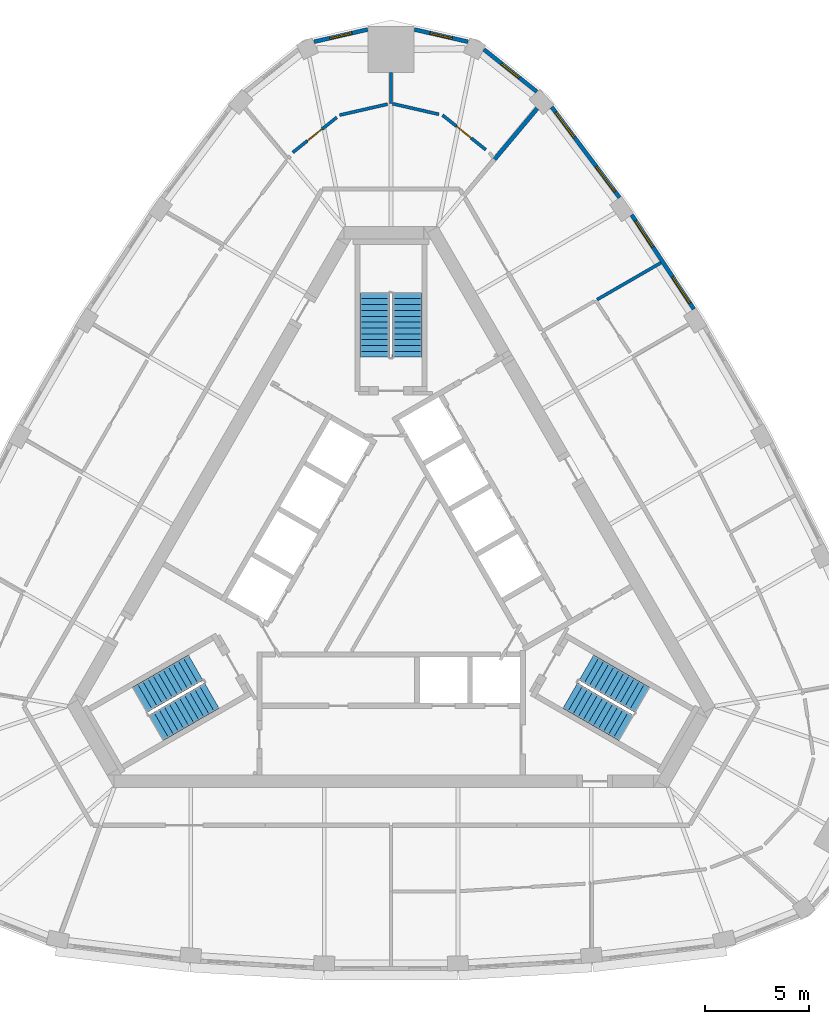
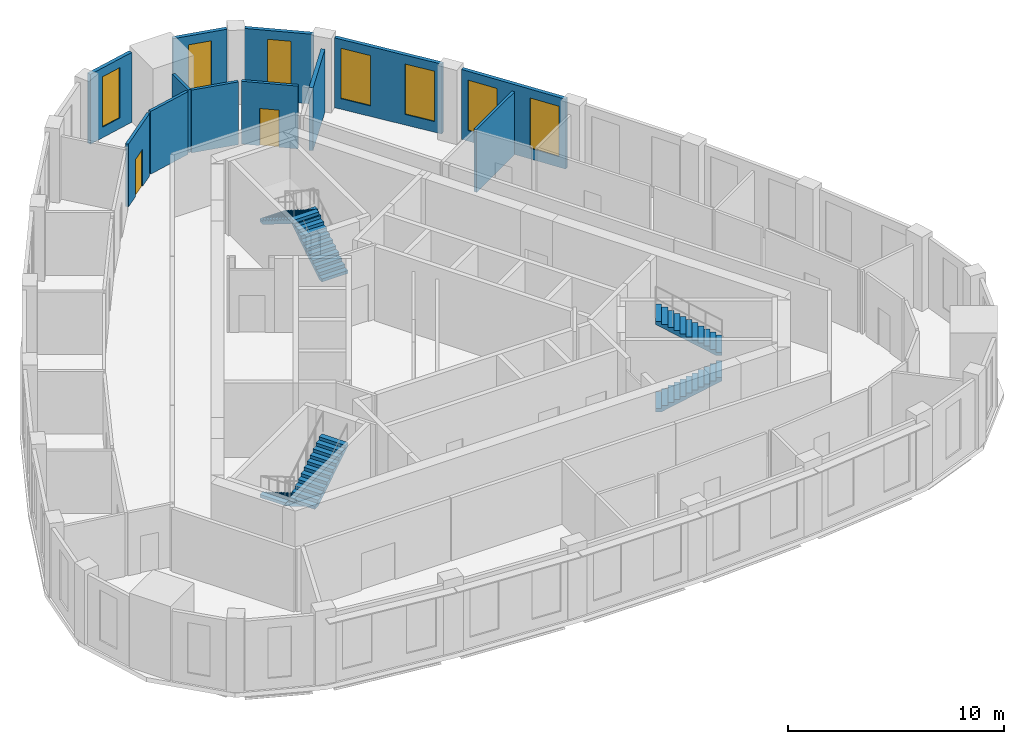
# One storey, part 9 of 10: 12 walls, 7 windows, 6 stair flights, 2 doors, 9 openings, 3 elements without a shape of their own.
"""IFC4 building model written with IfcOpenShell, lengths in metres."""

from ifc_helpers import new_model, si_unit, direction, frame, frame_2d, origin, place, context, subcontext, project, spatial, polyline, rectangle, outline, extrude, material, layer, layer_set, type_object, element, fill, aggregate, save


model = new_model("IFC4")

# Units and contexts
model_context = context("Model", 3, precision=1e-05, world=origin(), true_north=direction((0.0, 1.0)))
body_context = subcontext(model_context, "Body", "Model", "MODEL_VIEW")
ifc_project = project(units=[si_unit("LENGTHUNIT", "METRE"), si_unit("AREAUNIT", "SQUARE_METRE"), si_unit("VOLUMEUNIT", "CUBIC_METRE"), si_unit("PLANEANGLEUNIT", "RADIAN"), si_unit("MASSUNIT", "GRAM", prefix="KILO")], contexts=[model_context])

# Site, building, storey
site_placement = place(None, origin())
site = spatial("IfcSite", under=ifc_project, at=site_placement, CompositionType="ELEMENT")
building_placement = place(site_placement, origin())
building = spatial("IfcBuilding", under=site, at=building_placement, Name="Mestral Congress Tower", CompositionType="ELEMENT")
storey_placement = place(building_placement, frame((0.0, 0.0, 300.60009765625)))
storey = spatial("IfcBuildingStorey", under=building, at=storey_placement, Name="L70", CompositionType="ELEMENT", Elevation=300.60009765625)

# Wall, openings, windows
ifc_material_1 = material(Name="Precast concrete C40/50 with limestone facing", Category="masonry")
ifc_layer_1 = layer(ifc_material_1, 0.18994140625)
ifc_layer_set_1 = layer_set([ifc_layer_1], Name="Precast concrete C40/50 with limestone facing")
wall_type_1 = type_object("IfcWallType", Name="Facade stone wall 190", PredefinedType="SOLIDWALL", material=ifc_layer_set_1)
wall_1_placement = place(storey_placement, frame((14.49560546875, 12.6533203125, 0.0), z_axis=(0.0, 0.0, 1.0), x_axis=(-0.550744054781, 0.83467417962, 0.0)))
wall_1 = element("IfcWall", 1, at=wall_1_placement, inside=storey, type_object=wall_type_1, Name="Facade wall F1-03", PredefinedType="SOLIDWALL", context=body_context, shape_type="SweptSolid", body=[
    extrude(rectangle(XDim=5.406005859375, YDim=0.18994140625, at=frame_2d((2.703125, 0.0))), origin(), (0.0, 0.0, 1.0), 3.949951171875),
])
opening_1_placement = place(wall_1_placement, frame((0.346435546875, 0.0, 0.60009765625)))
opening_1 = element("IfcOpeningElement", 2, at=opening_1_placement, cuts=wall_1, Name="Opening W6", PredefinedType="OPENING", context=body_context, shape_type="SweptSolid", body=[
    extrude(rectangle(XDim=1.5, YDim=2.85009765625, at=frame_2d((0.75, 1.425048828125))), frame((0.0, 0.10498046875, 0.0), z_axis=(0.0, -1.0, 0.0), x_axis=(1.0, 0.0, 0.0)), (0.0, 0.0, 1.0), 0.2099609375),
])
opening_2_placement = place(wall_1_placement, frame((3.559326171875, 0.0, 0.60009765625)))
opening_2 = element("IfcOpeningElement", 3, at=opening_2_placement, cuts=wall_1, Name="Opening W6", PredefinedType="OPENING", context=body_context, shape_type="SweptSolid", body=[
    extrude(rectangle(XDim=1.5, YDim=2.85009765625, at=frame_2d((0.75, 1.425048828125))), frame((0.0, 0.10498046875, 0.0), z_axis=(0.0, -1.0, 0.0), x_axis=(1.0, 0.0, 0.0)), (0.0, 0.0, 1.0), 0.2099609375),
])
ifc_material_2 = material(Name="Clear low-emissivity double glazing", Category="glass")
window_type_1 = type_object("IfcWindowType", Name="Facade punched window 1500 x 2850 sill 600", PartitioningType="SINGLE_PANEL", PredefinedType="WINDOW", material=ifc_material_2)
window_1_placement = place(opening_1_placement, origin())
window_1 = element("IfcWindow", 4, at=window_1_placement, inside=storey, type_object=window_type_1, Name="Window F1-03a", OverallHeight=2.85009765625, OverallWidth=1.5, PartitioningType="SINGLE_PANEL", PredefinedType="WINDOW", context=body_context, shape_type="SweptSolid", body=[
    extrude(rectangle(XDim=1.5, YDim=2.85009765625, at=frame_2d((0.75, 1.425048828125))), frame((0.0, 0.044921875, 0.0), z_axis=(0.0, -1.0, 0.0), x_axis=(1.0, 0.0, 0.0)), (0.0, 0.0, 1.0), 0.06005859375),
])
fill(opening_1, window_1)
window_2_placement = place(opening_2_placement, origin())
window_2 = element("IfcWindow", 5, at=window_2_placement, inside=storey, type_object=window_type_1, Name="Window F1-03b", OverallHeight=2.85009765625, OverallWidth=1.5, PartitioningType="SINGLE_PANEL", PredefinedType="WINDOW", context=body_context, shape_type="SweptSolid", body=[
    extrude(rectangle(XDim=1.5, YDim=2.85009765625, at=frame_2d((0.75, 1.425048828125))), frame((0.0, 0.044921875, 0.0), z_axis=(0.0, -1.0, 0.0), x_axis=(1.0, 0.0, 0.0)), (0.0, 0.0, 1.0), 0.06005859375),
])
fill(opening_2, window_2)

wall_2_placement = place(storey_placement, frame((10.938232421875, 17.989990234375, 0.0), z_axis=(0.0, 0.0, 1.0), x_axis=(-0.599559865294, 0.800329911929, 0.0)))
wall_2 = element("IfcWall", 6, at=wall_2_placement, inside=storey, type_object=wall_type_1, Name="Facade wall F1-04", PredefinedType="SOLIDWALL", context=body_context, shape_type="SweptSolid", body=[
    extrude(rectangle(XDim=5.4150390625, YDim=0.18994140625, at=frame_2d((2.70751953125, 0.0))), origin(), (0.0, 0.0, 1.0), 3.949951171875),
])
opening_3_placement = place(wall_2_placement, frame((0.357666015625, 0.0, 0.60009765625)))
opening_3 = element("IfcOpeningElement", 7, at=opening_3_placement, cuts=wall_2, Name="Opening W6", PredefinedType="OPENING", context=body_context, shape_type="SweptSolid", body=[
    extrude(rectangle(XDim=1.5, YDim=2.85009765625, at=frame_2d((0.75, 1.425048828125))), frame((0.0, 0.10498046875, 0.0), z_axis=(0.0, -1.0, 0.0), x_axis=(1.0, 0.0, 0.0)), (0.0, 0.0, 1.0), 0.2099609375),
])
opening_4_placement = place(wall_2_placement, frame((3.592529296875, 0.0, 0.60009765625)))
opening_4 = element("IfcOpeningElement", 8, at=opening_4_placement, cuts=wall_2, Name="Opening W6", PredefinedType="OPENING", context=body_context, shape_type="SweptSolid", body=[
    extrude(rectangle(XDim=1.5, YDim=2.85009765625, at=frame_2d((0.75, 1.425048828125))), frame((0.0, 0.10498046875, 0.0), z_axis=(0.0, -1.0, 0.0), x_axis=(1.0, 0.0, 0.0)), (0.0, 0.0, 1.0), 0.2099609375),
])
window_3_placement = place(opening_3_placement, origin())
window_3 = element("IfcWindow", 9, at=window_3_placement, inside=storey, type_object=window_type_1, Name="Window F1-04a", OverallHeight=2.85009765625, OverallWidth=1.5, PartitioningType="SINGLE_PANEL", PredefinedType="WINDOW", context=body_context, shape_type="SweptSolid", body=[
    extrude(rectangle(XDim=1.5, YDim=2.85009765625, at=frame_2d((0.75, 1.425048828125))), frame((0.0, 0.044921875, 0.0), z_axis=(0.0, -1.0, 0.0), x_axis=(1.0, 0.0, 0.0)), (0.0, 0.0, 1.0), 0.06005859375),
])
fill(opening_3, window_3)
window_4_placement = place(opening_4_placement, origin())
window_4 = element("IfcWindow", 10, at=window_4_placement, inside=storey, type_object=window_type_1, Name="Window F1-04b", OverallHeight=2.85009765625, OverallWidth=1.5, PartitioningType="SINGLE_PANEL", PredefinedType="WINDOW", context=body_context, shape_type="SweptSolid", body=[
    extrude(rectangle(XDim=1.5, YDim=2.85009765625, at=frame_2d((0.75, 1.425048828125))), frame((0.0, 0.044921875, 0.0), z_axis=(0.0, -1.0, 0.0), x_axis=(1.0, 0.0, 0.0)), (0.0, 0.0, 1.0), 0.06005859375),
])
fill(opening_4, window_4)

# Wall, opening, window
wall_3_placement = place(storey_placement, frame((6.977294921875, 23.061279296875, 0.0), z_axis=(0.0, 0.0, 1.0), x_axis=(-0.781626234064, 0.623747088349, 0.0)))
wall_3 = element("IfcWall", 11, at=wall_3_placement, inside=storey, type_object=wall_type_1, Name="Facade wall K1-0", PredefinedType="SOLIDWALL", context=body_context, shape_type="SweptSolid", body=[
    extrude(rectangle(XDim=3.236572265625, YDim=0.18994140625, at=frame_2d((1.6181640625, 0.0))), origin(), (0.0, 0.0, 1.0), 3.949951171875),
])
opening_5_placement = place(wall_3_placement, frame((1.068359375, 0.0, 0.60009765625)))
opening_5 = element("IfcOpeningElement", 12, at=opening_5_placement, cuts=wall_3, Name="Opening W7", PredefinedType="OPENING", context=body_context, shape_type="SweptSolid", body=[
    extrude(rectangle(XDim=1.10009765625, YDim=2.85009765625, at=frame_2d((0.550048828125, 1.425048828125))), frame((0.0, 0.10498046875, 0.0), z_axis=(0.0, -1.0, 0.0), x_axis=(1.0, 0.0, 0.0)), (0.0, 0.0, 1.0), 0.2099609375),
])
window_type_2 = type_object("IfcWindowType", Name="Facade punched window 1100 x 2850 sill 600", PartitioningType="SINGLE_PANEL", PredefinedType="WINDOW", material=ifc_material_2)
window_5_placement = place(opening_5_placement, origin())
window_5 = element("IfcWindow", 13, at=window_5_placement, inside=storey, type_object=window_type_2, Name="Window K1-0", OverallHeight=2.85009765625, OverallWidth=1.10009765625, PartitioningType="SINGLE_PANEL", PredefinedType="WINDOW", context=body_context, shape_type="SweptSolid", body=[
    extrude(rectangle(XDim=1.10009765625, YDim=2.85009765625, at=frame_2d((0.550048828125, 1.425048828125))), frame((0.0, 0.044921875, 0.0), z_axis=(0.0, -1.0, 0.0), x_axis=(1.0, 0.0, 0.0)), (0.0, 0.0, 1.0), 0.06005859375),
])
fill(opening_5, window_5)

wall_4_placement = place(storey_placement, frame((3.6826171875, 25.44873046875, 0.0), z_axis=(0.0, 0.0, 1.0), x_axis=(-0.974913273386, 0.222585060988, 0.0)))
wall_4 = element("IfcWall", 14, at=wall_4_placement, inside=storey, type_object=wall_type_1, Name="Facade wall K1-1", PredefinedType="SOLIDWALL", context=body_context, shape_type="SweptSolid", body=[
    extrude(rectangle(XDim=2.626953125, YDim=0.18994140625, at=frame_2d((1.3134765625, 0.0))), origin(), (0.0, 0.0, 1.0), 3.949951171875),
])
opening_6_placement = place(wall_4_placement, frame((0.763427734375, 0.0, 0.60009765625)))
opening_6 = element("IfcOpeningElement", 15, at=opening_6_placement, cuts=wall_4, Name="Opening W7", PredefinedType="OPENING", context=body_context, shape_type="SweptSolid", body=[
    extrude(rectangle(XDim=1.10009765625, YDim=2.85009765625, at=frame_2d((0.550048828125, 1.425048828125))), frame((0.0, 0.10498046875, 0.0), z_axis=(0.0, -1.0, 0.0), x_axis=(1.0, 0.0, 0.0)), (0.0, 0.0, 1.0), 0.2099609375),
])
window_6_placement = place(opening_6_placement, origin())
window_6 = element("IfcWindow", 16, at=window_6_placement, inside=storey, type_object=window_type_2, Name="Window K1-1", OverallHeight=2.85009765625, OverallWidth=1.10009765625, PartitioningType="SINGLE_PANEL", PredefinedType="WINDOW", context=body_context, shape_type="SweptSolid", body=[
    extrude(rectangle(XDim=1.10009765625, YDim=2.85009765625, at=frame_2d((0.550048828125, 1.425048828125))), frame((0.0, 0.044921875, 0.0), z_axis=(0.0, -1.0, 0.0), x_axis=(1.0, 0.0, 0.0)), (0.0, 0.0, 1.0), 0.06005859375),
])
fill(opening_6, window_6)

wall_5_placement = place(storey_placement, frame((-1.12158203125, 26.033447265625, 0.0), z_axis=(0.0, 0.0, 1.0), x_axis=(-0.974913273386, -0.222585060988, 0.0)))
wall_5 = element("IfcWall", 17, at=wall_5_placement, inside=storey, type_object=wall_type_1, Name="Facade wall K1-2", PredefinedType="SOLIDWALL", context=body_context, shape_type="SweptSolid", body=[
    extrude(rectangle(XDim=2.626953125, YDim=0.18994140625, at=frame_2d((1.3134765625, 0.0))), origin(), (0.0, 0.0, 1.0), 3.949951171875),
])
opening_7_placement = place(wall_5_placement, frame((0.763427734375, 0.0, 0.60009765625)))
opening_7 = element("IfcOpeningElement", 18, at=opening_7_placement, cuts=wall_5, Name="Opening W7", PredefinedType="OPENING", context=body_context, shape_type="SweptSolid", body=[
    extrude(rectangle(XDim=1.10009765625, YDim=2.85009765625, at=frame_2d((0.550048828125, 1.425048828125))), frame((0.0, 0.10498046875, 0.0), z_axis=(0.0, -1.0, 0.0), x_axis=(1.0, 0.0, 0.0)), (0.0, 0.0, 1.0), 0.2099609375),
])
window_7_placement = place(opening_7_placement, origin())
window_7 = element("IfcWindow", 19, at=window_7_placement, inside=storey, type_object=window_type_2, Name="Window K1-2", OverallHeight=2.85009765625, OverallWidth=1.10009765625, PartitioningType="SINGLE_PANEL", PredefinedType="WINDOW", context=body_context, shape_type="SweptSolid", body=[
    extrude(rectangle(XDim=1.10009765625, YDim=2.85009765625, at=frame_2d((0.550048828125, 1.425048828125))), frame((0.0, 0.044921875, 0.0), z_axis=(0.0, -1.0, 0.0), x_axis=(1.0, 0.0, 0.0)), (0.0, 0.0, 1.0), 0.06005859375),
])
fill(opening_7, window_7)

# Walls
ifc_material_3 = material(Name="Plasterboard partition on steel studs", Category="steel")
ifc_layer_2 = layer(ifc_material_3, 0.14990234375)
ifc_layer_set_2 = layer_set([ifc_layer_2], Name="Plasterboard partition on steel studs")
wall_type_2 = type_object("IfcWallType", Name="Office partition 150", PredefinedType="PARTITIONING", material=ifc_layer_set_2)
wall_6_placement = place(storey_placement, frame((9.85986328125, 13.10595703125, 0.0), z_axis=(0.0, 0.0, 1.0), x_axis=(0.866022094817, 0.500005731256, 0.0)))
element("IfcWall", 20, at=wall_6_placement, inside=storey, type_object=wall_type_2, Name="Partition", PredefinedType="PARTITIONING", context=body_context, shape_type="SweptSolid", body=[
    extrude(rectangle(XDim=3.53125, YDim=0.14990234375, at=frame_2d((1.765625, 0.0))), origin(), (0.0, 0.0, 1.0), 3.5498046875),
])
wall_7_placement = place(storey_placement, frame((0.0, 22.49951171875, 0.0), z_axis=(0.0, 0.0, 1.0), x_axis=(0.0, 1.0, 0.0)))
element("IfcWall", 21, at=wall_7_placement, inside=storey, type_object=wall_type_2, Name="Partition", PredefinedType="PARTITIONING", context=body_context, shape_type="SweptSolid", body=[
    extrude(rectangle(XDim=1.478515625, YDim=0.14990234375, at=frame_2d((0.7392578125, 0.0))), origin(), (0.0, 0.0, 1.0), 3.5498046875),
])

# Wall, opening, door
wall_8_placement = place(storey_placement, frame((2.4619140625, 21.937255859375, 0.0), z_axis=(0.0, 0.0, 1.0), x_axis=(0.781630346222, -0.62374193531, 0.0)))
wall_8 = element("IfcWall", 22, at=wall_8_placement, inside=storey, type_object=wall_type_2, Name="Partition", PredefinedType="PARTITIONING", context=body_context, shape_type="SweptSolid", body=[
    extrude(rectangle(XDim=2.656494140625, YDim=0.14990234375, at=frame_2d((1.328125, 0.0))), origin(), (0.0, 0.0, 1.0), 3.5498046875),
])
opening_8_placement = place(wall_8_placement, frame((0.856689453125, 0.0, 0.0)))
opening_8 = element("IfcOpeningElement", 23, at=opening_8_placement, cuts=wall_8, Name="Opening O13-010", PredefinedType="OPENING", context=body_context, shape_type="SweptSolid", body=[
    extrude(rectangle(XDim=0.89990234375, YDim=2.10009765625, at=frame_2d((0.449951171875, 1.050048828125))), frame((0.0, 0.0849609375, 0.0), z_axis=(0.0, -1.0, 0.0), x_axis=(1.0, 0.0, 0.0)), (0.0, 0.0, 1.0), 0.169921875),
])
ifc_material_4 = material(Name="Timber door set", Category="wood")
door_type = type_object("IfcDoorType", Name="Office door 900x2100", OperationType="SINGLE_SWING_LEFT", PredefinedType="DOOR", material=ifc_material_4)
door_1_placement = place(opening_8_placement, origin())
door_1 = element("IfcDoor", 24, at=door_1_placement, inside=storey, type_object=door_type, Name="Door O13-010", OperationType="SINGLE_SWING_LEFT", OverallHeight=2.10009765625, OverallWidth=0.89990234375, PredefinedType="DOOR", context=body_context, shape_type="SweptSolid", body=[
    extrude(rectangle(XDim=0.89990234375, YDim=2.10009765625, at=frame_2d((0.449951171875, 1.050048828125))), frame((0.0, 0.02490234375, 0.0), z_axis=(0.0, -1.0, 0.0), x_axis=(1.0, 0.0, 0.0)), (0.0, 0.0, 1.0), 0.050048828125),
])
fill(opening_8, door_1)

# Walls
wall_9_placement = place(storey_placement, frame((2.29345703125, 21.975830078125, 0.0), z_axis=(0.0, 0.0, 1.0), x_axis=(-0.974905760283, 0.22261796551, 0.0)))
element("IfcWall", 25, at=wall_9_placement, inside=storey, type_object=wall_type_2, Name="Partition", PredefinedType="PARTITIONING", context=body_context, shape_type="SweptSolid", body=[
    extrude(rectangle(XDim=2.275634765625, YDim=0.14990234375, at=frame_2d((1.1376953125, 0.0))), origin(), (0.0, 0.0, 1.0), 3.5498046875),
])
wall_10_placement = place(storey_placement, frame((-0.16845703125, 22.461181640625, 0.0), z_axis=(0.0, 0.0, 1.0), x_axis=(-0.974885550769, -0.222706450069, 0.0)))
element("IfcWall", 26, at=wall_10_placement, inside=storey, type_object=wall_type_2, Name="Partition", PredefinedType="PARTITIONING", context=body_context, shape_type="SweptSolid", body=[
    extrude(rectangle(XDim=2.3525390625, YDim=0.14990234375, at=frame_2d((1.17626953125, 0.0))), origin(), (0.0, 0.0, 1.0), 3.5498046875),
])

# Wall, opening, door
wall_11_placement = place(storey_placement, frame((-4.705810546875, 20.146484375, 0.0), z_axis=(0.0, 0.0, 1.0), x_axis=(0.781592149204, 0.623789798172, 0.0)))
wall_11 = element("IfcWall", 27, at=wall_11_placement, inside=storey, type_object=wall_type_2, Name="Partition", PredefinedType="PARTITIONING", context=body_context, shape_type="SweptSolid", body=[
    extrude(rectangle(XDim=2.6982421875, YDim=0.14990234375, at=frame_2d((1.34912109375, 0.0))), origin(), (0.0, 0.0, 1.0), 3.5498046875),
])
opening_9_placement = place(wall_11_placement, frame((0.898193359375, 0.0, 0.0)))
opening_9 = element("IfcOpeningElement", 28, at=opening_9_placement, cuts=wall_11, Name="Opening O13-011", PredefinedType="OPENING", context=body_context, shape_type="SweptSolid", body=[
    extrude(rectangle(XDim=0.89990234375, YDim=2.10009765625, at=frame_2d((0.449951171875, 1.050048828125))), frame((0.0, 0.0849609375, 0.0), z_axis=(0.0, -1.0, 0.0), x_axis=(1.0, 0.0, 0.0)), (0.0, 0.0, 1.0), 0.169921875),
])
door_2_placement = place(opening_9_placement, origin())
door_2 = element("IfcDoor", 29, at=door_2_placement, inside=storey, type_object=door_type, Name="Door O13-011", OperationType="SINGLE_SWING_LEFT", OverallHeight=2.10009765625, OverallWidth=0.89990234375, PredefinedType="DOOR", context=body_context, shape_type="SweptSolid", body=[
    extrude(rectangle(XDim=0.89990234375, YDim=2.10009765625, at=frame_2d((0.449951171875, 1.050048828125))), frame((0.0, 0.02490234375, 0.0), z_axis=(0.0, -1.0, 0.0), x_axis=(1.0, 0.0, 0.0)), (0.0, 0.0, 1.0), 0.050048828125),
])
fill(opening_9, door_2)

# Wall
ifc_material_5 = material(Name="Dense masonry wall, plastered", Category="masonry")
ifc_layer_3 = layer(ifc_material_5, 0.199951171875)
ifc_layer_set_3 = layer_set([ifc_layer_3], Name="Dense masonry wall, plastered")
wall_type_3 = type_object("IfcWallType", Name="Office tenancy wall 200", PredefinedType="PARTITIONING", material=ifc_layer_set_3)
wall_12_placement = place(storey_placement, frame((4.949951171875, 19.814208984375, 0.0), z_axis=(0.0, 0.0, 1.0), x_axis=(0.642981953866, 0.765881326971, 0.0)))
element("IfcWall", 30, at=wall_12_placement, inside=storey, type_object=wall_type_3, Name="Tenancy wall", PredefinedType="PARTITIONING", context=body_context, shape_type="SweptSolid", body=[
    extrude(rectangle(XDim=3.188232421875, YDim=0.199951171875, at=frame_2d((1.59423828125, 0.0))), origin(), (0.0, 0.0, 1.0), 3.5498046875),
])

# Stair, stair flights
ifc_material_6 = material(Name="Concrete C60/75", Category="concrete")
stair_type = type_object("IfcStairType", Name="Exit stair 1400", PredefinedType="HALF_TURN_STAIR", material=ifc_material_6)
placement = place(storey_placement, origin())
stair_1 = element("IfcStair", 31, at=placement, inside=storey, type_object=stair_type, Name="L70 ST1", PredefinedType="HALF_TURN_STAIR")
stair_flight_type = type_object("IfcStairFlightType", Name="Exit stair flight 1400", PredefinedType="STRAIGHT", material=ifc_material_6)
stair_flight_1_placement = place(storey_placement, frame((8.575927734375, -5.84619140625, 0.0), z_axis=(0.0, 0.0, 1.0), x_axis=(0.866025403784, -0.5, 0.0)))
stair_flight_1 = element("IfcStairFlight", 32, at=stair_flight_1_placement, type_object=stair_flight_type, Name="ST1 flight 1", NumberOfRisers=12, NumberOfTreads=11, PredefinedType="STRAIGHT", RiserHeight=0.175, TreadLength=0.28, context=body_context, shape_type="SweptSolid", body=[
    extrude(outline(polyline([(0.0, 0.0), (0.0, 0.175048828125), (0.280029296875, 0.175048828125), (0.280029296875, 0.35009765625), (0.56005859375, 0.35009765625), (0.56005859375, 0.52490234375), (0.840087890625, 0.52490234375), (0.840087890625, 0.699951171875), (1.1201171875, 0.699951171875), (1.1201171875, 0.875), (1.39990234375, 0.875), (1.39990234375, 1.050048828125), (1.679931640625, 1.050048828125), (1.679931640625, 1.22509765625), (1.9599609375, 1.22509765625), (1.9599609375, 1.39990234375), (2.239990234375, 1.39990234375), (2.239990234375, 1.574951171875), (2.52001953125, 1.574951171875), (2.52001953125, 1.75), (2.800048828125, 1.75), (2.800048828125, 1.925048828125), (3.080078125, 1.925048828125), (3.080078125, 2.10009765625), (3.080078125, 1.748291015625), (0.28271484375, 0.0), (0.0, 0.0)])), frame((0.0, 0.699951171875, 0.0), z_axis=(0.0, -1.0, 0.0), x_axis=(1.0, 0.0, 0.0)), (0.0, 0.0, 1.0), 1.39990234375),
])
stair_flight_2_placement = place(storey_placement, frame((12.018310546875, -6.0439453125, 2.099853515625), z_axis=(0.0, 0.0, 1.0), x_axis=(-0.866025403784, 0.5, 0.0)))
stair_flight_2 = element("IfcStairFlight", 33, at=stair_flight_2_placement, type_object=stair_flight_type, Name="ST1 flight 2", NumberOfRisers=12, NumberOfTreads=11, PredefinedType="STRAIGHT", RiserHeight=0.175, TreadLength=0.28, context=body_context, shape_type="SweptSolid", body=[
    extrude(outline(polyline([(0.0, 0.0), (0.0, 0.175048828125), (0.280029296875, 0.175048828125), (0.280029296875, 0.35009765625), (0.56005859375, 0.35009765625), (0.56005859375, 0.52490234375), (0.840087890625, 0.52490234375), (0.840087890625, 0.699951171875), (1.1201171875, 0.699951171875), (1.1201171875, 0.875), (1.39990234375, 0.875), (1.39990234375, 1.050048828125), (1.679931640625, 1.050048828125), (1.679931640625, 1.22509765625), (1.9599609375, 1.22509765625), (1.9599609375, 1.39990234375), (2.239990234375, 1.39990234375), (2.239990234375, 1.574951171875), (2.52001953125, 1.574951171875), (2.52001953125, 1.75), (2.800048828125, 1.75), (2.800048828125, 1.925048828125), (3.080078125, 1.925048828125), (3.080078125, 2.10009765625), (3.080078125, 1.748291015625), (0.28271484375, 0.0), (0.0, 0.0)])), frame((0.0, 0.699951171875, 0.0), z_axis=(0.0, -1.0, 0.0), x_axis=(1.0, 0.0, 0.0)), (0.0, 0.0, 1.0), 1.39990234375),
])
aggregate(stair_1, [stair_flight_1, stair_flight_2])

stair_2 = element("IfcStair", 34, at=placement, inside=storey, type_object=stair_type, Name="L70 ST2", PredefinedType="HALF_TURN_STAIR")
stair_flight_3_placement = place(storey_placement, frame((0.77490234375, 10.35009765625, 0.0), z_axis=(0.0, 0.0, 1.0), x_axis=(0.0, 1.0, 0.0)))
stair_flight_3 = element("IfcStairFlight", 35, at=stair_flight_3_placement, type_object=stair_flight_type, Name="ST2 flight 1", NumberOfRisers=12, NumberOfTreads=11, PredefinedType="STRAIGHT", RiserHeight=0.175, TreadLength=0.28, context=body_context, shape_type="SweptSolid", body=[
    extrude(outline(polyline([(0.0, 0.0), (0.0, 0.175048828125), (0.280029296875, 0.175048828125), (0.280029296875, 0.35009765625), (0.56005859375, 0.35009765625), (0.56005859375, 0.52490234375), (0.840087890625, 0.52490234375), (0.840087890625, 0.699951171875), (1.1201171875, 0.699951171875), (1.1201171875, 0.875), (1.39990234375, 0.875), (1.39990234375, 1.050048828125), (1.679931640625, 1.050048828125), (1.679931640625, 1.22509765625), (1.9599609375, 1.22509765625), (1.9599609375, 1.39990234375), (2.239990234375, 1.39990234375), (2.239990234375, 1.574951171875), (2.52001953125, 1.574951171875), (2.52001953125, 1.75), (2.800048828125, 1.75), (2.800048828125, 1.925048828125), (3.080078125, 1.925048828125), (3.080078125, 2.10009765625), (3.080078125, 1.748291015625), (0.28271484375, 0.0), (0.0, 0.0)])), frame((0.0, 0.699951171875, 0.0), z_axis=(0.0, -1.0, 0.0), x_axis=(1.0, 0.0, 0.0)), (0.0, 0.0, 1.0), 1.39990234375),
])
stair_flight_4_placement = place(storey_placement, frame((-0.77490234375, 13.429931640625, 2.099853515625), z_axis=(0.0, 0.0, 1.0), x_axis=(0.0, -1.0, 0.0)))
stair_flight_4 = element("IfcStairFlight", 36, at=stair_flight_4_placement, type_object=stair_flight_type, Name="ST2 flight 2", NumberOfRisers=12, NumberOfTreads=11, PredefinedType="STRAIGHT", RiserHeight=0.175, TreadLength=0.28, context=body_context, shape_type="SweptSolid", body=[
    extrude(outline(polyline([(0.0, 0.0), (0.0, 0.175048828125), (0.280029296875, 0.175048828125), (0.280029296875, 0.35009765625), (0.56005859375, 0.35009765625), (0.56005859375, 0.52490234375), (0.840087890625, 0.52490234375), (0.840087890625, 0.699951171875), (1.1201171875, 0.699951171875), (1.1201171875, 0.875), (1.39990234375, 0.875), (1.39990234375, 1.050048828125), (1.679931640625, 1.050048828125), (1.679931640625, 1.22509765625), (1.9599609375, 1.22509765625), (1.9599609375, 1.39990234375), (2.239990234375, 1.39990234375), (2.239990234375, 1.574951171875), (2.52001953125, 1.574951171875), (2.52001953125, 1.75), (2.800048828125, 1.75), (2.800048828125, 1.925048828125), (3.080078125, 1.925048828125), (3.080078125, 2.10009765625), (3.080078125, 1.748291015625), (0.28271484375, 0.0), (0.0, 0.0)])), frame((0.0, 0.699951171875, 0.0), z_axis=(0.0, -1.0, 0.0), x_axis=(1.0, 0.0, 0.0)), (0.0, 0.0, 1.0), 1.39990234375),
])
aggregate(stair_2, [stair_flight_3, stair_flight_4])

stair_3 = element("IfcStair", 37, at=placement, inside=storey, type_object=stair_type, Name="L70 ST3", PredefinedType="HALF_TURN_STAIR")
stair_flight_5_placement = place(storey_placement, frame((-9.350830078125, -4.50390625, 0.0), z_axis=(0.0, 0.0, 1.0), x_axis=(-0.866025403784, -0.5, 0.0)))
stair_flight_5 = element("IfcStairFlight", 38, at=stair_flight_5_placement, type_object=stair_flight_type, Name="ST3 flight 1", NumberOfRisers=12, NumberOfTreads=11, PredefinedType="STRAIGHT", RiserHeight=0.175, TreadLength=0.28, context=body_context, shape_type="SweptSolid", body=[
    extrude(outline(polyline([(0.0, 0.0), (0.0, 0.175048828125), (0.280029296875, 0.175048828125), (0.280029296875, 0.35009765625), (0.56005859375, 0.35009765625), (0.56005859375, 0.52490234375), (0.840087890625, 0.52490234375), (0.840087890625, 0.699951171875), (1.1201171875, 0.699951171875), (1.1201171875, 0.875), (1.39990234375, 0.875), (1.39990234375, 1.050048828125), (1.679931640625, 1.050048828125), (1.679931640625, 1.22509765625), (1.9599609375, 1.22509765625), (1.9599609375, 1.39990234375), (2.239990234375, 1.39990234375), (2.239990234375, 1.574951171875), (2.52001953125, 1.574951171875), (2.52001953125, 1.75), (2.800048828125, 1.75), (2.800048828125, 1.925048828125), (3.080078125, 1.925048828125), (3.080078125, 2.10009765625), (3.080078125, 1.748291015625), (0.28271484375, 0.0), (0.0, 0.0)])), frame((0.0, 0.699951171875, 0.0), z_axis=(0.0, -1.0, 0.0), x_axis=(1.0, 0.0, 0.0)), (0.0, 0.0, 1.0), 1.39990234375),
])
stair_flight_6_placement = place(storey_placement, frame((-11.2431640625, -7.38623046875, 2.099853515625), z_axis=(0.0, 0.0, 1.0), x_axis=(0.866025403784, 0.5, 0.0)))
stair_flight_6 = element("IfcStairFlight", 39, at=stair_flight_6_placement, type_object=stair_flight_type, Name="ST3 flight 2", NumberOfRisers=12, NumberOfTreads=11, PredefinedType="STRAIGHT", RiserHeight=0.175, TreadLength=0.28, context=body_context, shape_type="SweptSolid", body=[
    extrude(outline(polyline([(0.0, 0.0), (0.0, 0.175048828125), (0.280029296875, 0.175048828125), (0.280029296875, 0.35009765625), (0.56005859375, 0.35009765625), (0.56005859375, 0.52490234375), (0.840087890625, 0.52490234375), (0.840087890625, 0.699951171875), (1.1201171875, 0.699951171875), (1.1201171875, 0.875), (1.39990234375, 0.875), (1.39990234375, 1.050048828125), (1.679931640625, 1.050048828125), (1.679931640625, 1.22509765625), (1.9599609375, 1.22509765625), (1.9599609375, 1.39990234375), (2.239990234375, 1.39990234375), (2.239990234375, 1.574951171875), (2.52001953125, 1.574951171875), (2.52001953125, 1.75), (2.800048828125, 1.75), (2.800048828125, 1.925048828125), (3.080078125, 1.925048828125), (3.080078125, 2.10009765625), (3.080078125, 1.748291015625), (0.28271484375, 0.0), (0.0, 0.0)])), frame((0.0, 0.699951171875, 0.0), z_axis=(0.0, -1.0, 0.0), x_axis=(1.0, 0.0, 0.0)), (0.0, 0.0, 1.0), 1.39990234375),
])
aggregate(stair_3, [stair_flight_5, stair_flight_6])

save(model, "model.ifc")
